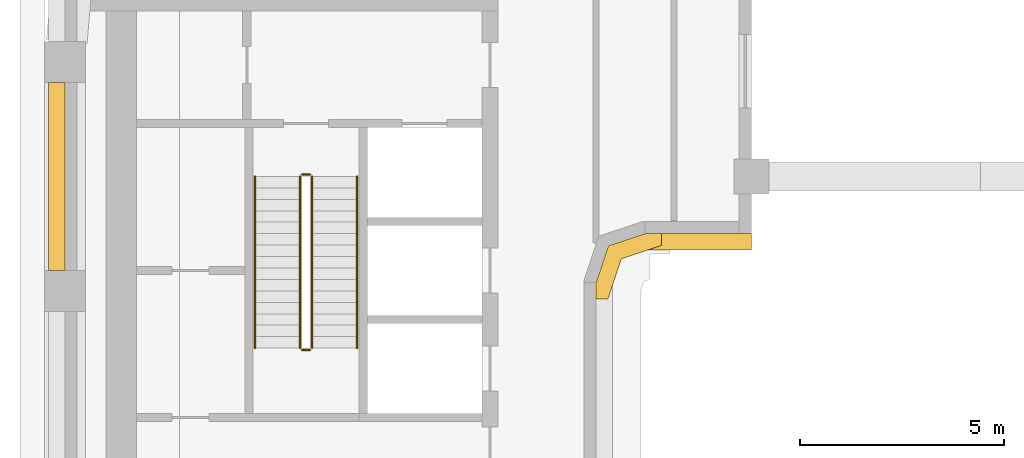
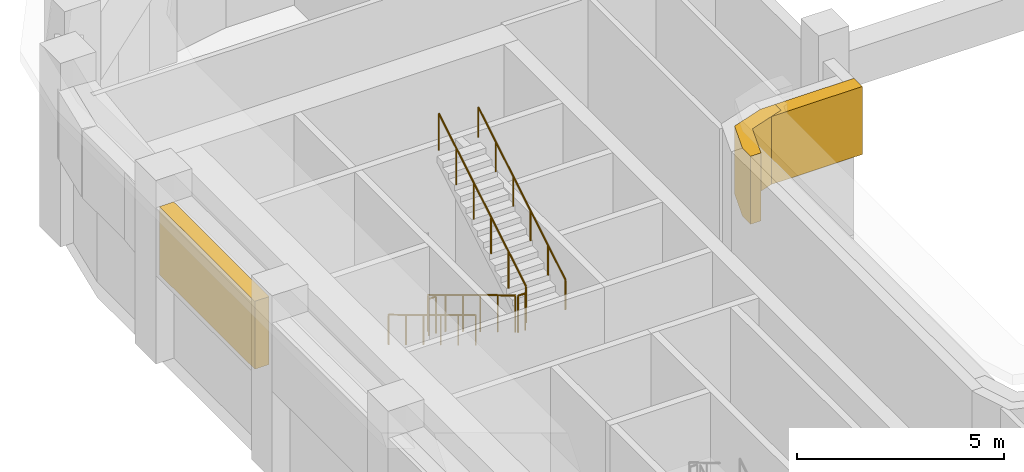
# One storey, part 10 of 14: 6 railings, 3 coverings.
"""IFC4 building model written with IfcOpenShell, lengths in metres."""

from ifc_helpers import new_model, si_unit, direction, frame, origin, origin_2d, place, context, subcontext, project, spatial, polyline, rectangle, circle, outline, extrude, material, type_object, element, save


model = new_model("IFC4")

# Units and contexts
model_context = context("Model", 3, precision=1e-05, world=origin(), true_north=direction((0.0, 1.0)))
body_context = subcontext(model_context, "Body", "Model", "MODEL_VIEW")
ifc_project = project(units=[si_unit("LENGTHUNIT", "METRE"), si_unit("AREAUNIT", "SQUARE_METRE"), si_unit("VOLUMEUNIT", "CUBIC_METRE"), si_unit("PLANEANGLEUNIT", "RADIAN"), si_unit("MASSUNIT", "GRAM", prefix="KILO")], contexts=[model_context])

# Site, building, storey
site_placement = place(None, origin())
site = spatial("IfcSite", under=ifc_project, at=site_placement, CompositionType="ELEMENT")
building_placement = place(site_placement, origin())
building = spatial("IfcBuilding", under=site, at=building_placement, Name="Kiln Ring Residences", CompositionType="ELEMENT")
storey_placement = place(building_placement, frame((0.0, 0.0, 183.5)))
storey = spatial("IfcBuildingStorey", under=building, at=storey_placement, Name="L47", CompositionType="ELEMENT", Elevation=183.5)

# Railings
ifc_material_1 = material(Name="Stainless steel", Category="steel")
railing_type_1 = type_object("IfcRailingType", Name="CORE-STAIR-GUARD", PredefinedType="GUARDRAIL", material=ifc_material_1)
railing_1_placement = place(storey_placement, frame((-22.25, 8.39990234375, 0.168701171875)))
element("IfcRailing", 1, at=railing_1_placement, inside=storey, type_object=railing_type_1, Name="L47 W-STN stair guard 1", PredefinedType="GUARDRAIL", context=body_context, shape_type="SweptSolid", body=[
    extrude(circle(Radius=0.02392578125, at=origin_2d()), frame((0.0, 0.0, 1.076171875), z_axis=(0.0, -0.856476492594, 0.516186030065), x_axis=(1.0, 0.0, 0.0)), (0.0, 0.0, 1.0), 4.90380859375),
    extrude(circle(Radius=0.02099609375, at=origin_2d()), origin(), (0.0, 0.0, 1.0), 1.052001953125),
    extrude(circle(Radius=0.02099609375, at=origin_2d()), frame((0.0, -0.840087890625, 0.50634765625)), (0.0, 0.0, 1.0), 1.052001953125),
    extrude(circle(Radius=0.02099609375, at=origin_2d()), frame((0.0, -1.679931640625, 1.012451171875)), (0.0, 0.0, 1.0), 1.052001953125),
    extrude(circle(Radius=0.02099609375, at=origin_2d()), frame((0.0, -2.52001953125, 1.518798828125)), (0.0, 0.0, 1.0), 1.052001953125),
    extrude(circle(Radius=0.02099609375, at=origin_2d()), frame((0.0, -3.35986328125, 2.02490234375)), (0.0, 0.0, 1.0), 1.052001953125),
    extrude(circle(Radius=0.02099609375, at=origin_2d()), frame((0.0, -4.199951171875, 2.53125)), (0.0, 0.0, 1.0), 1.052001953125),
])
railing_2_placement = place(storey_placement, frame((-22.199951171875, 4.14990234375, 2.699951171875)))
element("IfcRailing", 2, at=railing_2_placement, inside=storey, type_object=railing_type_1, Name="L47 W-STN stair guard 2", PredefinedType="GUARDRAIL", context=body_context, shape_type="SweptSolid", body=[
    extrude(circle(Radius=0.02392578125, at=origin_2d()), frame((0.0, 0.0, 1.076171875), z_axis=(1.0, 0.0, 0.0), x_axis=(0.0, 1.0, 0.0)), (0.0, 0.0, 1.0), 0.199951171875),
    extrude(circle(Radius=0.02099609375, at=origin_2d()), origin(), (0.0, 0.0, 1.0), 1.052001953125),
    extrude(circle(Radius=0.02099609375, at=origin_2d()), frame((0.199951171875, 0.0, 0.0)), (0.0, 0.0, 1.0), 1.052001953125),
])
railing_3_placement = place(storey_placement, frame((-21.949951171875, 4.199951171875, 2.86865234375)))
element("IfcRailing", 3, at=railing_3_placement, inside=storey, type_object=railing_type_1, Name="L47 W-STN stair guard 3", PredefinedType="GUARDRAIL", context=body_context, shape_type="SweptSolid", body=[
    extrude(circle(Radius=0.02392578125, at=origin_2d()), frame((0.0, 0.0, 1.076171875), z_axis=(0.0, 0.856476492594, 0.516186030065), x_axis=(-1.0, 0.0, 0.0)), (0.0, 0.0, 1.0), 4.90380859375),
    extrude(circle(Radius=0.02099609375, at=origin_2d()), origin(), (0.0, 0.0, 1.0), 1.052001953125),
    extrude(circle(Radius=0.02099609375, at=origin_2d()), frame((0.0, 0.840087890625, 0.50634765625)), (0.0, 0.0, 1.0), 1.052001953125),
    extrude(circle(Radius=0.02099609375, at=origin_2d()), frame((0.0, 1.679931640625, 1.012451171875)), (0.0, 0.0, 1.0), 1.052001953125),
    extrude(circle(Radius=0.02099609375, at=origin_2d()), frame((0.0, 2.52001953125, 1.518798828125)), (0.0, 0.0, 1.0), 1.052001953125),
    extrude(circle(Radius=0.02099609375, at=origin_2d()), frame((0.0, 3.35986328125, 2.02490234375)), (0.0, 0.0, 1.0), 1.052001953125),
    extrude(circle(Radius=0.02099609375, at=origin_2d()), frame((0.0, 4.199951171875, 2.53125)), (0.0, 0.0, 1.0), 1.052001953125),
])
railing_4_placement = place(storey_placement, frame((-22.199951171875, 8.449951171875, 0.0)))
element("IfcRailing", 4, at=railing_4_placement, inside=storey, type_object=railing_type_1, Name="L47 W-STN stair guard 4", PredefinedType="GUARDRAIL", context=body_context, shape_type="SweptSolid", body=[
    extrude(circle(Radius=0.02392578125, at=origin_2d()), frame((0.0, 0.0, 1.076171875), z_axis=(1.0, 0.0, 0.0), x_axis=(0.0, 1.0, 0.0)), (0.0, 0.0, 1.0), 0.199951171875),
    extrude(circle(Radius=0.02099609375, at=origin_2d()), origin(), (0.0, 0.0, 1.0), 1.052001953125),
    extrude(circle(Radius=0.02099609375, at=origin_2d()), frame((0.199951171875, 0.0, 0.0)), (0.0, 0.0, 1.0), 1.052001953125),
])
ifc_material_2 = material(Name="Stainless steel", Category="steel")
railing_type_2 = type_object("IfcRailingType", Name="CORE-STAIR-HANDRAIL", PredefinedType="HANDRAIL", material=ifc_material_2)
railing_5_placement = place(storey_placement, frame((-23.35009765625, 8.39990234375, 0.168701171875)))
element("IfcRailing", 5, at=railing_5_placement, inside=storey, type_object=railing_type_2, Name="L47 W-STN stair handrail 1", PredefinedType="HANDRAIL", context=body_context, shape_type="SweptSolid", body=[
    extrude(circle(Radius=0.02392578125, at=origin_2d()), frame((0.0, 0.0, 0.8759765625), z_axis=(0.0, -0.856476492594, 0.516186030065), x_axis=(1.0, 0.0, 0.0)), (0.0, 0.0, 1.0), 4.90380859375),
    extrude(circle(Radius=0.02099609375, at=origin_2d()), origin(), (0.0, 0.0, 1.0), 0.851806640625),
    extrude(circle(Radius=0.02099609375, at=origin_2d()), frame((0.0, -0.840087890625, 0.50634765625)), (0.0, 0.0, 1.0), 0.851806640625),
    extrude(circle(Radius=0.02099609375, at=origin_2d()), frame((0.0, -1.679931640625, 1.012451171875)), (0.0, 0.0, 1.0), 0.851806640625),
    extrude(circle(Radius=0.02099609375, at=origin_2d()), frame((0.0, -2.52001953125, 1.518798828125)), (0.0, 0.0, 1.0), 0.851806640625),
    extrude(circle(Radius=0.02099609375, at=origin_2d()), frame((0.0, -3.35986328125, 2.02490234375)), (0.0, 0.0, 1.0), 0.851806640625),
    extrude(circle(Radius=0.02099609375, at=origin_2d()), frame((0.0, -4.199951171875, 2.53125)), (0.0, 0.0, 1.0), 0.851806640625),
])
railing_6_placement = place(storey_placement, frame((-20.85009765625, 4.199951171875, 2.86865234375)))
element("IfcRailing", 6, at=railing_6_placement, inside=storey, type_object=railing_type_2, Name="L47 W-STN stair handrail 2", PredefinedType="HANDRAIL", context=body_context, shape_type="SweptSolid", body=[
    extrude(circle(Radius=0.02392578125, at=origin_2d()), frame((0.0, 0.0, 0.8759765625), z_axis=(0.0, 0.856476492594, 0.516186030065), x_axis=(-1.0, 0.0, 0.0)), (0.0, 0.0, 1.0), 4.90380859375),
    extrude(circle(Radius=0.02099609375, at=origin_2d()), origin(), (0.0, 0.0, 1.0), 0.851806640625),
    extrude(circle(Radius=0.02099609375, at=origin_2d()), frame((0.0, 0.840087890625, 0.50634765625)), (0.0, 0.0, 1.0), 0.851806640625),
    extrude(circle(Radius=0.02099609375, at=origin_2d()), frame((0.0, 1.679931640625, 1.012451171875)), (0.0, 0.0, 1.0), 0.851806640625),
    extrude(circle(Radius=0.02099609375, at=origin_2d()), frame((0.0, 2.52001953125, 1.518798828125)), (0.0, 0.0, 1.0), 0.851806640625),
    extrude(circle(Radius=0.02099609375, at=origin_2d()), frame((0.0, 3.35986328125, 2.02490234375)), (0.0, 0.0, 1.0), 0.851806640625),
    extrude(circle(Radius=0.02099609375, at=origin_2d()), frame((0.0, 4.199951171875, 2.53125)), (0.0, 0.0, 1.0), 0.851806640625),
])

# Coverings
ifc_material_3 = material(Name="Concrete C35/45, exposed aggregate finish", Category="concrete")
covering_type = type_object("IfcCoveringType", Name="TIE BAND 2000 x 400", PredefinedType="CLADDING", material=ifc_material_3)
covering_1_placement = place(storey_placement, frame((-12.5, 6.800048828125, 2.60009765625), z_axis=(0.0, 0.0, 1.0), x_axis=(1.0, 0.0, 0.0)))
element("IfcCovering", 7, at=covering_1_placement, inside=storey, type_object=covering_type, Name="TIE BAND L47", PredefinedType="CLADDING", context=body_context, shape_type="SweptSolid", body=[
    extrude(rectangle(XDim=2.60009765625, YDim=0.39990234375, at=origin_2d()), origin(), (0.0, 0.0, 1.0), 2.0),
])
covering_2_placement = place(storey_placement, frame((-28.199951171875, 8.39990234375, 2.60009765625), z_axis=(0.0, 0.0, 1.0), x_axis=(0.0, -1.0, 0.0)))
element("IfcCovering", 8, at=covering_2_placement, inside=storey, type_object=covering_type, Name="TIE BAND L47", PredefinedType="CLADDING", context=body_context, shape_type="SweptSolid", body=[
    extrude(rectangle(XDim=4.60009765625, YDim=0.39990234375, at=origin_2d()), origin(), (0.0, 0.0, 1.0), 2.0),
])
covering_3_placement = place(storey_placement, frame((0.0, 0.0, 2.60009765625)))
element("IfcCovering", 9, at=covering_3_placement, inside=storey, type_object=covering_type, Name="TIE BAND L47", PredefinedType="CLADDING", context=body_context, shape_type="SweptSolid", body=[
    extrude(outline(polyline([(-15.0, 5.800048828125), (-15.0, 5.39990234375), (-14.711669921875, 5.39990234375), (-14.3837890625, 6.3837890625), (-13.39990234375, 6.711669921875), (-13.39990234375, 7.0), (-13.800048828125, 7.0), (-14.699951171875, 6.699951171875), (-15.0, 5.800048828125)])), origin(), (0.0, 0.0, 1.0), 2.0),
])

save(model, "model.ifc")
